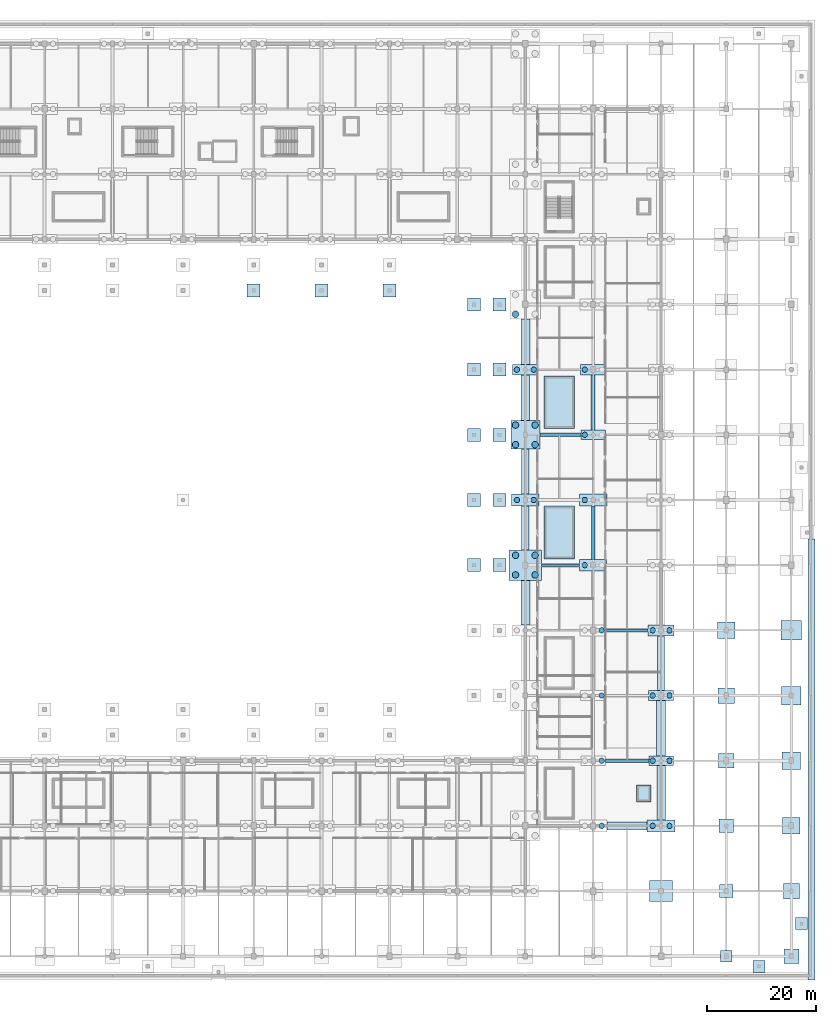
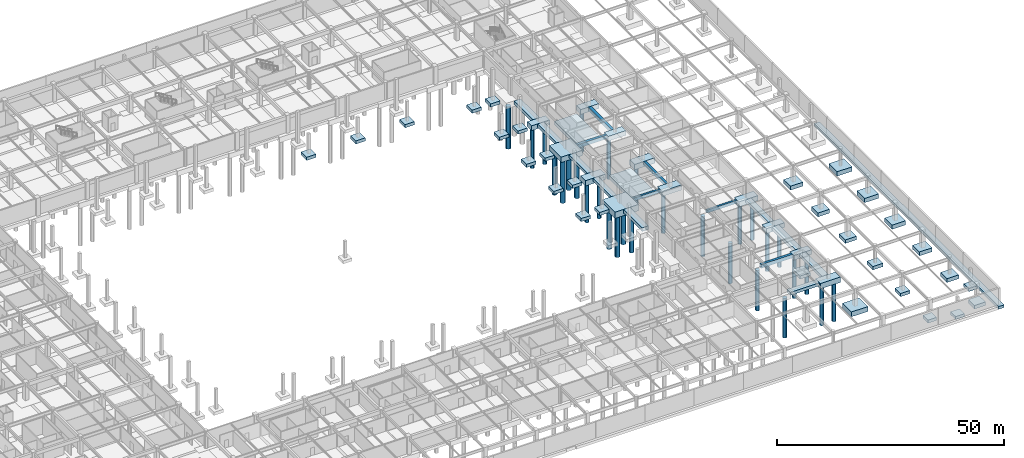
# One storey, part 6 of 56: 59 footings, 29 piles.
"""IFC4 building model written with IfcOpenShell, lengths in metres."""

from ifc_helpers import new_model, si_unit, direction, frame, origin, origin_2d, place, context, subcontext, project, spatial, polyline, rectangle, circle, outline, extrude, material, material_profile, profile_set, type_object, element, save


model = new_model("IFC4")

# Units and contexts
model_context = context("Model", 3, precision=1e-05, world=origin(), true_north=direction((0.0, 1.0)))
body_context = subcontext(model_context, "Body", "Model", "MODEL_VIEW")
ifc_project = project(units=[si_unit("LENGTHUNIT", "METRE"), si_unit("AREAUNIT", "SQUARE_METRE"), si_unit("VOLUMEUNIT", "CUBIC_METRE"), si_unit("PLANEANGLEUNIT", "RADIAN"), si_unit("MASSUNIT", "GRAM", prefix="KILO")], contexts=[model_context])

# Site, building, storey
site_placement = place(None, origin())
site = spatial("IfcSite", under=ifc_project, at=site_placement, CompositionType="ELEMENT")
building_placement = place(site_placement, origin())
building = spatial("IfcBuilding", under=site, at=building_placement, Name="Kazenohara Klinker Stadium", CompositionType="ELEMENT")
storey_placement = place(building_placement, frame((0.0, 0.0, -4.800048828125)))
storey = spatial("IfcBuildingStorey", under=building, at=storey_placement, Name="B01", CompositionType="ELEMENT", Elevation=-4.800048828125)

# Footings
ifc_material = material(Name="Concrete C35/45", Category="concrete")
footing_type_1 = type_object("IfcFootingType", Name="CAP-PC01", PredefinedType="PILE_CAP", material=ifc_material)
for number, where, z_axis, x_axis, name in (
    (1, (187.5, 96.0, -1.25), (0.0, 0.0, 1.0), (1.0, 0.0, 0.0), "Pile cap PC01 at 16/J"),
    (2, (200.0, 36.0, -1.25), (0.0, 0.0, 1.0), (1.0, 0.0, 0.0), "Pile cap PC01 at 17/D"),
):
    element("IfcFooting", number, at=place(storey_placement, frame(where, z_axis=z_axis, x_axis=x_axis)), inside=storey, type_object=footing_type_1, Name=name, PredefinedType="PILE_CAP", context=body_context, shape_type="SweptSolid", body=[
        extrude(rectangle(XDim=4.5, YDim=1.800048828125, at=origin_2d()), origin(), (0.0, 0.0, 1.0), 1.25),
    ])
footing_type_2 = type_object("IfcFootingType", Name="CAP-PC02", PredefinedType="PILE_CAP", material=ifc_material)
for number, where, z_axis, x_axis, name in (
    (3, (175.0, 108.0, -1.2998046875), (0.0, 0.0, 1.0), (1.0, 0.0, 0.0), "Pile cap PC02 at 15/K"),
    (4, (187.5, 108.0, -1.2998046875), (0.0, 0.0, 1.0), (1.0, 0.0, 0.0), "Pile cap PC02 at 16/K"),
    (5, (200.0, 48.0, -1.2998046875), (0.0, 0.0, 1.0), (1.0, 0.0, 0.0), "Pile cap PC02 at 17/E"),
):
    element("IfcFooting", number, at=place(storey_placement, frame(where, z_axis=z_axis, x_axis=x_axis)), inside=storey, type_object=footing_type_2, Name=name, PredefinedType="PILE_CAP", context=body_context, shape_type="SweptSolid", body=[
        extrude(rectangle(XDim=4.64990234375, YDim=1.89990234375, at=origin_2d()), origin(), (0.0, 0.0, 1.0), 1.300048828125),
    ])
footing_type_3 = type_object("IfcFootingType", Name="CAP-PC03", PredefinedType="PILE_CAP", material=ifc_material)
footing_1_placement = place(storey_placement, frame((200.0, 60.0, -1.35009765625), z_axis=(0.0, 0.0, 1.0), x_axis=(1.0, 0.0, 0.0)))
element("IfcFooting", 6, at=footing_1_placement, inside=storey, type_object=footing_type_3, Name="Pile cap PC03 at 17/F", PredefinedType="PILE_CAP", context=body_context, shape_type="SweptSolid", body=[
    extrude(rectangle(XDim=4.800048828125, YDim=2.0, at=origin_2d()), origin(), (0.0, 0.0, 1.0), 1.35009765625),
])
footing_type_4 = type_object("IfcFootingType", Name="CAP-PC04", PredefinedType="PILE_CAP", material=ifc_material)
footing_2_placement = place(storey_placement, frame((187.5, 72.0, -1.39990234375), z_axis=(0.0, 0.0, 1.0), x_axis=(1.0, 0.0, 0.0)))
element("IfcFooting", 7, at=footing_2_placement, inside=storey, type_object=footing_type_4, Name="Pile cap PC04 at 16/G", PredefinedType="PILE_CAP", context=body_context, shape_type="SweptSolid", body=[
    extrude(rectangle(XDim=4.949951171875, YDim=2.10009765625, at=origin_2d()), origin(), (0.0, 0.0, 1.0), 1.39990234375),
])
footing_type_5 = type_object("IfcFootingType", Name="CAP-PC05", PredefinedType="PILE_CAP", material=ifc_material)
for number, where, z_axis, x_axis, name in (
    (8, (175.0, 84.0, -1.44970703125), (0.0, 0.0, 1.0), (1.0, 0.0, 0.0), "Pile cap PC05 at 15/H"),
    (9, (187.5, 84.0, -1.44970703125), (0.0, 0.0, 1.0), (1.0, 0.0, 0.0), "Pile cap PC05 at 16/H"),
    (10, (200.0, 24.0, -1.44970703125), (0.0, 0.0, 1.0), (1.0, 0.0, 0.0), "Pile cap PC05 at 17/C"),
):
    element("IfcFooting", number, at=place(storey_placement, frame(where, z_axis=z_axis, x_axis=x_axis)), inside=storey, type_object=footing_type_5, Name=name, PredefinedType="PILE_CAP", context=body_context, shape_type="SweptSolid", body=[
        extrude(rectangle(XDim=5.10009765625, YDim=2.199951171875, at=origin_2d()), origin(), (0.0, 0.0, 1.0), 1.449951171875),
    ])
footing_type_6 = type_object("IfcFootingType", Name="CAP-PC07", PredefinedType="PILE_CAP", material=ifc_material)
footing_3_placement = place(storey_placement, frame((175.0, 96.0, -1.44970703125), z_axis=(0.0, 0.0, 1.0), x_axis=(1.0, 0.0, 0.0)))
element("IfcFooting", 11, at=footing_3_placement, inside=storey, type_object=footing_type_6, Name="Pile cap PC07 at 15/J", PredefinedType="PILE_CAP", context=body_context, shape_type="SweptSolid", body=[
    extrude(rectangle(XDim=5.35009765625, YDim=5.25, at=origin_2d()), origin(), (0.0, 0.0, 1.0), 1.449951171875),
])
footing_type_7 = type_object("IfcFootingType", Name="CAP-PC12", PredefinedType="PILE_CAP", material=ifc_material)
footing_4_placement = place(storey_placement, frame((175.0, 72.0, -1.69970703125), z_axis=(0.0, 0.0, 1.0), x_axis=(1.0, 0.0, 0.0)))
element("IfcFooting", 12, at=footing_4_placement, inside=storey, type_object=footing_type_7, Name="Pile cap PC12 at 15/G", PredefinedType="PILE_CAP", context=body_context, shape_type="SweptSolid", body=[
    extrude(rectangle(XDim=6.0, YDim=5.60009765625, at=origin_2d()), origin(), (0.0, 0.0, 1.0), 1.699951171875),
])
footing_type_8 = type_object("IfcFootingType", Name="GBEAM-GB01", PredefinedType="FOOTING_BEAM", material=ifc_material)
footing_5_placement = place(storey_placement, frame((0.0, 0.0, -0.800048828125)))
element("IfcFooting", 13, at=footing_5_placement, inside=storey, type_object=footing_type_8, Name="Foundation tie beam GB01 15-16/G", PredefinedType="FOOTING_BEAM", context=body_context, shape_type="SweptSolid", body=[
    extrude(outline(polyline([(178.0, 71.75), (185.02490234375, 71.75), (185.02490234375, 72.25), (178.0, 72.25), (178.0, 71.75)])), origin(), (0.0, 0.0, 1.0), 0.800048828125),
])
footing_6_placement = place(storey_placement, frame((0.0, 0.0, -0.800048828125)))
element("IfcFooting", 14, at=footing_6_placement, inside=storey, type_object=footing_type_8, Name="Foundation tie beam GB01 16-17/F", PredefinedType="FOOTING_BEAM", context=body_context, shape_type="SweptSolid", body=[
    extrude(outline(polyline([(189.89990234375, 59.75), (197.60009765625, 59.75), (197.60009765625, 60.25), (189.89990234375, 60.25), (189.89990234375, 59.75)])), origin(), (0.0, 0.0, 1.0), 0.800048828125),
])
footing_type_9 = type_object("IfcFootingType", Name="GBEAM-GB02", PredefinedType="FOOTING_BEAM", material=ifc_material)
footing_7_placement = place(storey_placement, frame((0.0, 0.0, -0.8798828125)))
element("IfcFooting", 15, at=footing_7_placement, inside=storey, type_object=footing_type_9, Name="Foundation tie beam GB02 16/G-H", PredefinedType="FOOTING_BEAM", context=body_context, shape_type="SweptSolid", body=[
    extrude(outline(polyline([(187.2099609375, 73.050048828125), (187.7900390625, 73.050048828125), (187.7900390625, 82.89990234375), (187.2099609375, 82.89990234375), (187.2099609375, 73.050048828125)])), origin(), (0.0, 0.0, 1.0), 0.8798828125),
])
footing_type_10 = type_object("IfcFootingType", Name="GBEAM-GB03", PredefinedType="FOOTING_BEAM", material=ifc_material)
footing_8_placement = place(storey_placement, frame((0.0, 0.0, -0.9599609375)))
element("IfcFooting", 16, at=footing_8_placement, inside=storey, type_object=footing_type_10, Name="Foundation tie beam GB03 15-16/J", PredefinedType="FOOTING_BEAM", context=body_context, shape_type="SweptSolid", body=[
    extrude(outline(polyline([(177.675048828125, 95.675048828125), (185.25, 95.675048828125), (185.25, 96.324951171875), (177.675048828125, 96.324951171875), (177.675048828125, 95.675048828125)])), origin(), (0.0, 0.0, 1.0), 0.9599609375),
])
footing_9_placement = place(storey_placement, frame((0.0, 0.0, -0.9599609375)))
element("IfcFooting", 17, at=footing_9_placement, inside=storey, type_object=footing_type_10, Name="Foundation tie beam GB03 16-17/D", PredefinedType="FOOTING_BEAM", context=body_context, shape_type="SweptSolid", body=[
    extrude(outline(polyline([(189.75, 35.675048828125), (197.75, 35.675048828125), (197.75, 36.324951171875), (189.75, 36.324951171875), (189.75, 35.675048828125)])), origin(), (0.0, 0.0, 1.0), 0.9599609375),
])
footing_type_11 = type_object("IfcFootingType", Name="GBEAM-GB04", PredefinedType="FOOTING_BEAM", material=ifc_material)
footing_10_placement = place(storey_placement, frame((0.0, 0.0, -1.050048828125)))
element("IfcFooting", 18, at=footing_10_placement, inside=storey, type_object=footing_type_11, Name="Foundation tie beam GB04 16/J-K", PredefinedType="FOOTING_BEAM", context=body_context, shape_type="SweptSolid", body=[
    extrude(outline(polyline([(187.139892578125, 96.89990234375), (187.860107421875, 96.89990234375), (187.860107421875, 107.050048828125), (187.139892578125, 107.050048828125), (187.139892578125, 96.89990234375)])), origin(), (0.0, 0.0, 1.0), 1.050048828125),
])
footing_type_12 = type_object("IfcFootingType", Name="PAD-PF01", PredefinedType="PAD_FOOTING", material=ifc_material)
for number, where, z_axis, x_axis, name in (
    (19, (212.0, 0.0, -0.7998046875), (0.0, 0.0, 1.0), (1.0, 0.0, 0.0), "Spread footing PF01 at 18/A"),
    (20, (225.85009765625, 6.0, -0.7998046875), (0.0, 0.0, 1.0), (1.0, 0.0, 0.0), "Exterior plinth support pad PF01 PLAZA-EAST-1"),
    (21, (218.0, -1.85009765625, -0.7998046875), (0.0, 0.0, 1.0), (1.0, 0.0, 0.0), "Exterior plinth support pad PF01 PLAZA-SOUTH-3"),
):
    element("IfcFooting", number, at=place(storey_placement, frame(where, z_axis=z_axis, x_axis=x_axis)), inside=storey, type_object=footing_type_12, Name=name, PredefinedType="PAD_FOOTING", context=body_context, shape_type="SweptSolid", body=[
        extrude(rectangle(XDim=2.199951171875, YDim=2.199951171875, at=origin_2d()), origin(), (0.0, 0.0, 1.0), 0.800048828125),
    ])
footing_type_13 = type_object("IfcFootingType", Name="PAD-PF02", PredefinedType="PAD_FOOTING", material=ifc_material)
for number, where, z_axis, x_axis, name in (
    (22, (212.0, 12.0, -0.85009765625), (0.0, 0.0, 1.0), (1.0, 0.0, 0.0), "Spread footing PF02 at 18/B"),
    (23, (165.550048828125, 72.0, -0.85009765625), (0.0, 0.0, 1.0), (1.0, 0.0, 0.0), "Bowl moat raker pad PF02 E-G"),
    (24, (170.27490234375, 72.0, -0.85009765625), (0.0, 0.0, 1.0), (1.0, 0.0, 0.0), "Bowl mid-raker pad PF02 E-G"),
    (25, (165.550048828125, 84.0, -0.85009765625), (0.0, 0.0, 1.0), (1.0, 0.0, 0.0), "Bowl moat raker pad PF02 E-H"),
    (26, (170.27490234375, 84.0, -0.85009765625), (0.0, 0.0, 1.0), (1.0, 0.0, 0.0), "Bowl mid-raker pad PF02 E-H"),
    (27, (165.550048828125, 96.0, -0.85009765625), (0.0, 0.0, 1.0), (1.0, 0.0, 0.0), "Bowl moat raker pad PF02 E-J"),
    (28, (170.27490234375, 96.0, -0.85009765625), (0.0, 0.0, 1.0), (1.0, 0.0, 0.0), "Bowl mid-raker pad PF02 E-J"),
    (29, (165.550048828125, 108.0, -0.85009765625), (0.0, 0.0, 1.0), (1.0, 0.0, 0.0), "Bowl moat raker pad PF02 E-K"),
    (30, (170.27490234375, 108.0, -0.85009765625), (0.0, 0.0, 1.0), (1.0, 0.0, 0.0), "Bowl mid-raker pad PF02 E-K"),
    (31, (165.550048828125, 120.0, -0.85009765625), (0.0, 0.0, 1.0), (1.0, 0.0, 0.0), "Bowl moat raker pad PF02 E-L"),
    (32, (170.27490234375, 120.0, -0.85009765625), (0.0, 0.0, 1.0), (1.0, 0.0, 0.0), "Bowl mid-raker pad PF02 E-L"),
    (33, (125.0, 122.550048828125, -0.85009765625), (0.0, 0.0, 1.0), (1.0, 0.0, 0.0), "Bowl moat raker pad PF02 N-11"),
    (34, (137.5, 122.550048828125, -0.85009765625), (0.0, 0.0, 1.0), (1.0, 0.0, 0.0), "Bowl moat raker pad PF02 N-12"),
    (35, (150.0, 122.550048828125, -0.85009765625), (0.0, 0.0, 1.0), (1.0, 0.0, 0.0), "Bowl moat raker pad PF02 N-13"),
):
    element("IfcFooting", number, at=place(storey_placement, frame(where, z_axis=z_axis, x_axis=x_axis)), inside=storey, type_object=footing_type_13, Name=name, PredefinedType="PAD_FOOTING", context=body_context, shape_type="SweptSolid", body=[
        extrude(rectangle(XDim=2.39990234375, YDim=2.39990234375, at=origin_2d()), origin(), (0.0, 0.0, 1.0), 0.85009765625),
    ])
footing_type_14 = type_object("IfcFootingType", Name="PAD-PF03", PredefinedType="PAD_FOOTING", material=ifc_material)
footing_11_placement = place(storey_placement, frame((212.0, 24.0, -0.89990234375), z_axis=(0.0, 0.0, 1.0), x_axis=(1.0, 0.0, 0.0)))
element("IfcFooting", 36, at=footing_11_placement, inside=storey, type_object=footing_type_14, Name="Spread footing PF03 at 18/C", PredefinedType="PAD_FOOTING", context=body_context, shape_type="SweptSolid", body=[
    extrude(rectangle(XDim=2.60009765625, YDim=2.5, at=origin_2d()), origin(), (0.0, 0.0, 1.0), 0.89990234375),
])
footing_12_placement = place(storey_placement, frame((0.0, 0.0, -1.5)))
element("IfcFooting", 37, at=footing_12_placement, inside=storey, type_object=footing_type_14, Name="Elevator pit foundation pad LP06", PredefinedType="PAD_FOOTING", context=body_context, shape_type="SweptSolid", body=[
    extrude(outline(polyline([(195.485107421875, 28.43505859375), (198.114990234375, 28.43505859375), (198.114990234375, 31.56494140625), (195.485107421875, 31.56494140625), (195.485107421875, 28.43505859375)])), origin(), (0.0, 0.0, 1.0), 0.85009765625),
])
footing_type_15 = type_object("IfcFootingType", Name="PAD-PF04", PredefinedType="PAD_FOOTING", material=ifc_material)
for number, where, z_axis, x_axis, name in (
    (38, (212.0, 36.0, -0.94970703125), (0.0, 0.0, 1.0), (1.0, 0.0, 0.0), "Spread footing PF04 at 18/D"),
    (39, (224.0, 0.0, -0.94970703125), (0.0, 0.0, 1.0), (1.0, 0.0, 0.0), "Spread footing PF04 at 19/A"),
):
    element("IfcFooting", number, at=place(storey_placement, frame(where, z_axis=z_axis, x_axis=x_axis)), inside=storey, type_object=footing_type_15, Name=name, PredefinedType="PAD_FOOTING", context=body_context, shape_type="SweptSolid", body=[
        extrude(rectangle(XDim=2.800048828125, YDim=2.699951171875, at=origin_2d()), origin(), (0.0, 0.0, 1.0), 0.949951171875),
    ])
footing_13_placement = place(storey_placement, frame((0.0, 0.0, -1.550048828125)))
element("IfcFooting", 40, at=footing_13_placement, inside=storey, type_object=footing_type_15, Name="Stairwell core foundation raft ST22", PredefinedType="PAD_FOOTING", context=body_context, shape_type="SweptSolid", body=[
    extrude(outline(polyline([(178.43505859375, 73.135009765625), (184.06494140625, 73.135009765625), (184.06494140625, 82.864990234375), (178.43505859375, 82.864990234375), (178.43505859375, 73.135009765625)])), origin(), (0.0, 0.0, 1.0), 0.900146484375),
])
footing_14_placement = place(storey_placement, frame((0.0, 0.0, -1.550048828125)))
element("IfcFooting", 41, at=footing_14_placement, inside=storey, type_object=footing_type_15, Name="Stairwell core foundation raft ST23", PredefinedType="PAD_FOOTING", context=body_context, shape_type="SweptSolid", body=[
    extrude(outline(polyline([(178.405029296875, 97.125), (184.094970703125, 97.125), (184.094970703125, 106.875), (178.405029296875, 106.875), (178.405029296875, 97.125)])), origin(), (0.0, 0.0, 1.0), 0.900146484375),
])
footing_type_16 = type_object("IfcFootingType", Name="PAD-PF05", PredefinedType="PAD_FOOTING", material=ifc_material)
for number, where, z_axis, x_axis, name in (
    (42, (212.0, 48.0, -1.0), (0.0, 0.0, 1.0), (1.0, 0.0, 0.0), "Spread footing PF05 at 18/E"),
    (43, (224.0, 12.0, -1.0), (0.0, 0.0, 1.0), (1.0, 0.0, 0.0), "Spread footing PF05 at 19/B"),
):
    element("IfcFooting", number, at=place(storey_placement, frame(where, z_axis=z_axis, x_axis=x_axis)), inside=storey, type_object=footing_type_16, Name=name, PredefinedType="PAD_FOOTING", context=body_context, shape_type="SweptSolid", body=[
        extrude(rectangle(XDim=3.0, YDim=2.85009765625, at=origin_2d()), origin(), (0.0, 0.0, 1.0), 1.0),
    ])
footing_type_17 = type_object("IfcFootingType", Name="PAD-PF06", PredefinedType="PAD_FOOTING", material=ifc_material)
for number, where, z_axis, x_axis, name in (
    (44, (212.0, 60.0, -1.0498046875), (0.0, 0.0, 1.0), (1.0, 0.0, 0.0), "Spread footing PF06 at 18/F"),
    (45, (224.0, 24.0, -1.0498046875), (0.0, 0.0, 1.0), (1.0, 0.0, 0.0), "Spread footing PF06 at 19/C"),
):
    element("IfcFooting", number, at=place(storey_placement, frame(where, z_axis=z_axis, x_axis=x_axis)), inside=storey, type_object=footing_type_17, Name=name, PredefinedType="PAD_FOOTING", context=body_context, shape_type="SweptSolid", body=[
        extrude(rectangle(XDim=3.199951171875, YDim=3.0, at=origin_2d()), origin(), (0.0, 0.0, 1.0), 1.050048828125),
    ])
footing_type_18 = type_object("IfcFootingType", Name="PAD-PF07", PredefinedType="PAD_FOOTING", material=ifc_material)
footing_15_placement = place(storey_placement, frame((224.0, 36.0, -1.10009765625), z_axis=(0.0, 0.0, 1.0), x_axis=(1.0, 0.0, 0.0)))
element("IfcFooting", 46, at=footing_15_placement, inside=storey, type_object=footing_type_18, Name="Spread footing PF07 at 19/D", PredefinedType="PAD_FOOTING", context=body_context, shape_type="SweptSolid", body=[
    extrude(rectangle(XDim=3.39990234375, YDim=3.199951171875, at=origin_2d()), origin(), (0.0, 0.0, 1.0), 1.10009765625),
])
footing_type_19 = type_object("IfcFootingType", Name="PAD-PF08", PredefinedType="PAD_FOOTING", material=ifc_material)
footing_16_placement = place(storey_placement, frame((224.0, 48.0, -1.14990234375), z_axis=(0.0, 0.0, 1.0), x_axis=(1.0, 0.0, 0.0)))
element("IfcFooting", 47, at=footing_16_placement, inside=storey, type_object=footing_type_19, Name="Spread footing PF08 at 19/E", PredefinedType="PAD_FOOTING", context=body_context, shape_type="SweptSolid", body=[
    extrude(rectangle(XDim=3.60009765625, YDim=3.39990234375, at=origin_2d()), origin(), (0.0, 0.0, 1.0), 1.14990234375),
])
footing_type_20 = type_object("IfcFootingType", Name="PAD-PF09", PredefinedType="PAD_FOOTING", material=ifc_material)
footing_17_placement = place(storey_placement, frame((224.0, 60.0, -1.19970703125), z_axis=(0.0, 0.0, 1.0), x_axis=(1.0, 0.0, 0.0)))
element("IfcFooting", 48, at=footing_17_placement, inside=storey, type_object=footing_type_20, Name="Spread footing PF09 at 19/F", PredefinedType="PAD_FOOTING", context=body_context, shape_type="SweptSolid", body=[
    extrude(rectangle(XDim=3.800048828125, YDim=3.60009765625, at=origin_2d()), origin(), (0.0, 0.0, 1.0), 1.199951171875),
])
footing_type_21 = type_object("IfcFootingType", Name="PAD-PF11", PredefinedType="PAD_FOOTING", material=ifc_material)
footing_18_placement = place(storey_placement, frame((200.0, 12.0, -1.2998046875), z_axis=(0.0, 0.0, 1.0), x_axis=(1.0, 0.0, 0.0)))
element("IfcFooting", 49, at=footing_18_placement, inside=storey, type_object=footing_type_21, Name="Spread footing PF11 at 17/B", PredefinedType="PAD_FOOTING", context=body_context, shape_type="SweptSolid", body=[
    extrude(rectangle(XDim=4.199951171875, YDim=3.89990234375, at=origin_2d()), origin(), (0.0, 0.0, 1.0), 1.300048828125),
])

# Piles
ifc_material_profile_1 = material_profile(ifc_material, circle(Radius=0.5, at=origin_2d()), Name="BORED-PILE-1000")
ifc_profile_set_1 = profile_set([ifc_material_profile_1], Name="Concrete C35/45")
pile_type_1 = type_object("IfcPileType", Name="PILE-P01-1000", PredefinedType="BORED", material=ifc_profile_set_1)
for number, where, z_axis, x_axis, name in (
    (50, (173.449951171875, 84.0, -1.349853515625), (0.0, 0.0, -1.0), (1.0, 0.0, 0.0), "Bored pile P01-1407-1"),
    (51, (176.550048828125, 84.0, -1.349853515625), (0.0, 0.0, -1.0), (1.0, 0.0, 0.0), "Bored pile P01-1407-2"),
):
    element("IfcPile", number, at=place(storey_placement, frame(where, z_axis=z_axis, x_axis=x_axis)), inside=storey, type_object=pile_type_1, Name=name, PredefinedType="BORED", context=body_context, shape_type="SweptSolid", body=[
        extrude(circle(Radius=0.5, at=origin_2d()), origin(), (0.0, 0.0, 1.0), 10.64990234375),
    ])
for number, where, z_axis, x_axis, name in (
    (52, (173.449951171875, 108.0, -1.199951171875), (0.0, 0.0, -1.0), (1.0, 0.0, 0.0), "Bored pile P01-1409-1"),
    (53, (176.550048828125, 108.0, -1.199951171875), (0.0, 0.0, -1.0), (1.0, 0.0, 0.0), "Bored pile P01-1409-2"),
):
    element("IfcPile", number, at=place(storey_placement, frame(where, z_axis=z_axis, x_axis=x_axis)), inside=storey, type_object=pile_type_1, Name=name, PredefinedType="BORED", context=body_context, shape_type="SweptSolid", body=[
        extrude(circle(Radius=0.5, at=origin_2d()), origin(), (0.0, 0.0, 1.0), 10.800048828125),
    ])
pile_1_placement = place(storey_placement, frame((189.050048828125, 24.0, -1.349853515625), z_axis=(0.0, 0.0, -1.0), x_axis=(1.0, 0.0, 0.0)))
element("IfcPile", 54, at=pile_1_placement, inside=storey, type_object=pile_type_1, Name="Bored pile P01-1502-2", PredefinedType="BORED", context=body_context, shape_type="SweptSolid", body=[
    extrude(circle(Radius=0.5, at=origin_2d()), origin(), (0.0, 0.0, 1.0), 10.64990234375),
])
pile_2_placement = place(storey_placement, frame((189.050048828125, 36.0, -1.14990234375), z_axis=(0.0, 0.0, -1.0), x_axis=(1.0, 0.0, 0.0)))
element("IfcPile", 55, at=pile_2_placement, inside=storey, type_object=pile_type_1, Name="Bored pile P01-1503-2", PredefinedType="BORED", context=body_context, shape_type="SweptSolid", body=[
    extrude(circle(Radius=0.5, at=origin_2d()), origin(), (0.0, 0.0, 1.0), 10.85009765625),
])
pile_3_placement = place(storey_placement, frame((189.050048828125, 48.0, -1.199951171875), z_axis=(0.0, 0.0, -1.0), x_axis=(1.0, 0.0, 0.0)))
element("IfcPile", 56, at=pile_3_placement, inside=storey, type_object=pile_type_1, Name="Bored pile P01-1504-2", PredefinedType="BORED", context=body_context, shape_type="SweptSolid", body=[
    extrude(circle(Radius=0.5, at=origin_2d()), origin(), (0.0, 0.0, 1.0), 10.800048828125),
])
pile_4_placement = place(storey_placement, frame((189.050048828125, 60.0, -1.25), z_axis=(0.0, 0.0, -1.0), x_axis=(1.0, 0.0, 0.0)))
element("IfcPile", 57, at=pile_4_placement, inside=storey, type_object=pile_type_1, Name="Bored pile P01-1505-2", PredefinedType="BORED", context=body_context, shape_type="SweptSolid", body=[
    extrude(circle(Radius=0.5, at=origin_2d()), origin(), (0.0, 0.0, 1.0), 10.75),
])
pile_5_placement = place(storey_placement, frame((185.949951171875, 72.0, -1.300048828125), z_axis=(0.0, 0.0, -1.0), x_axis=(1.0, 0.0, 0.0)))
element("IfcPile", 58, at=pile_5_placement, inside=storey, type_object=pile_type_1, Name="Bored pile P01-1506-1", PredefinedType="BORED", context=body_context, shape_type="SweptSolid", body=[
    extrude(circle(Radius=0.5, at=origin_2d()), origin(), (0.0, 0.0, 1.0), 10.699951171875),
])
pile_6_placement = place(storey_placement, frame((185.949951171875, 84.0, -1.349853515625), z_axis=(0.0, 0.0, -1.0), x_axis=(1.0, 0.0, 0.0)))
element("IfcPile", 59, at=pile_6_placement, inside=storey, type_object=pile_type_1, Name="Bored pile P01-1507-1", PredefinedType="BORED", context=body_context, shape_type="SweptSolid", body=[
    extrude(circle(Radius=0.5, at=origin_2d()), origin(), (0.0, 0.0, 1.0), 10.64990234375),
])
pile_7_placement = place(storey_placement, frame((185.949951171875, 96.0, -1.14990234375), z_axis=(0.0, 0.0, -1.0), x_axis=(1.0, 0.0, 0.0)))
element("IfcPile", 60, at=pile_7_placement, inside=storey, type_object=pile_type_1, Name="Bored pile P01-1508-1", PredefinedType="BORED", context=body_context, shape_type="SweptSolid", body=[
    extrude(circle(Radius=0.5, at=origin_2d()), origin(), (0.0, 0.0, 1.0), 10.85009765625),
])
pile_8_placement = place(storey_placement, frame((185.949951171875, 108.0, -1.199951171875), z_axis=(0.0, 0.0, -1.0), x_axis=(1.0, 0.0, 0.0)))
element("IfcPile", 61, at=pile_8_placement, inside=storey, type_object=pile_type_1, Name="Bored pile P01-1509-1", PredefinedType="BORED", context=body_context, shape_type="SweptSolid", body=[
    extrude(circle(Radius=0.5, at=origin_2d()), origin(), (0.0, 0.0, 1.0), 10.800048828125),
])
for number, where, z_axis, x_axis, name in (
    (62, (198.449951171875, 24.0, -1.349853515625), (0.0, 0.0, -1.0), (1.0, 0.0, 0.0), "Bored pile P01-1602-1"),
    (63, (201.550048828125, 24.0, -1.349853515625), (0.0, 0.0, -1.0), (1.0, 0.0, 0.0), "Bored pile P01-1602-2"),
):
    element("IfcPile", number, at=place(storey_placement, frame(where, z_axis=z_axis, x_axis=x_axis)), inside=storey, type_object=pile_type_1, Name=name, PredefinedType="BORED", context=body_context, shape_type="SweptSolid", body=[
        extrude(circle(Radius=0.5, at=origin_2d()), origin(), (0.0, 0.0, 1.0), 10.64990234375),
    ])
for number, where, z_axis, x_axis, name in (
    (64, (198.449951171875, 36.0, -1.14990234375), (0.0, 0.0, -1.0), (1.0, 0.0, 0.0), "Bored pile P01-1603-1"),
    (65, (201.550048828125, 36.0, -1.14990234375), (0.0, 0.0, -1.0), (1.0, 0.0, 0.0), "Bored pile P01-1603-2"),
):
    element("IfcPile", number, at=place(storey_placement, frame(where, z_axis=z_axis, x_axis=x_axis)), inside=storey, type_object=pile_type_1, Name=name, PredefinedType="BORED", context=body_context, shape_type="SweptSolid", body=[
        extrude(circle(Radius=0.5, at=origin_2d()), origin(), (0.0, 0.0, 1.0), 10.85009765625),
    ])
for number, where, z_axis, x_axis, name in (
    (66, (198.449951171875, 48.0, -1.199951171875), (0.0, 0.0, -1.0), (1.0, 0.0, 0.0), "Bored pile P01-1604-1"),
    (67, (201.550048828125, 48.0, -1.199951171875), (0.0, 0.0, -1.0), (1.0, 0.0, 0.0), "Bored pile P01-1604-2"),
):
    element("IfcPile", number, at=place(storey_placement, frame(where, z_axis=z_axis, x_axis=x_axis)), inside=storey, type_object=pile_type_1, Name=name, PredefinedType="BORED", context=body_context, shape_type="SweptSolid", body=[
        extrude(circle(Radius=0.5, at=origin_2d()), origin(), (0.0, 0.0, 1.0), 10.800048828125),
    ])
for number, where, z_axis, x_axis, name in (
    (68, (198.449951171875, 60.0, -1.25), (0.0, 0.0, -1.0), (1.0, 0.0, 0.0), "Bored pile P01-1605-1"),
    (69, (201.550048828125, 60.0, -1.25), (0.0, 0.0, -1.0), (1.0, 0.0, 0.0), "Bored pile P01-1605-2"),
):
    element("IfcPile", number, at=place(storey_placement, frame(where, z_axis=z_axis, x_axis=x_axis)), inside=storey, type_object=pile_type_1, Name=name, PredefinedType="BORED", context=body_context, shape_type="SweptSolid", body=[
        extrude(circle(Radius=0.5, at=origin_2d()), origin(), (0.0, 0.0, 1.0), 10.75),
    ])
ifc_material_profile_2 = material_profile(ifc_material, circle(Radius=0.60009765625, at=origin_2d()), Name="BORED-PILE-1200")
ifc_profile_set_2 = profile_set([ifc_material_profile_2], Name="Concrete C35/45")
pile_type_2 = type_object("IfcPileType", Name="PILE-P02-1200", PredefinedType="BORED", material=ifc_profile_set_2)
for number, where, z_axis, x_axis, name in (
    (70, (173.199951171875, 70.199951171875, -1.599853515625), (0.0, 0.0, -1.0), (1.0, 0.0, 0.0), "Bored pile P02-1406-1"),
    (71, (176.800048828125, 70.199951171875, -1.599853515625), (0.0, 0.0, -1.0), (1.0, 0.0, 0.0), "Bored pile P02-1406-2"),
    (72, (173.199951171875, 73.800048828125, -1.599853515625), (0.0, 0.0, -1.0), (1.0, 0.0, 0.0), "Bored pile P02-1406-3"),
    (73, (176.800048828125, 73.800048828125, -1.599853515625), (0.0, 0.0, -1.0), (1.0, 0.0, 0.0), "Bored pile P02-1406-4"),
):
    element("IfcPile", number, at=place(storey_placement, frame(where, z_axis=z_axis, x_axis=x_axis)), inside=storey, type_object=pile_type_2, Name=name, PredefinedType="BORED", context=body_context, shape_type="SweptSolid", body=[
        extrude(circle(Radius=0.60009765625, at=origin_2d()), origin(), (0.0, 0.0, 1.0), 11.199951171875),
    ])
for number, where, z_axis, x_axis, name in (
    (74, (173.199951171875, 94.199951171875, -1.349853515625), (0.0, 0.0, -1.0), (1.0, 0.0, 0.0), "Bored pile P02-1408-1"),
    (75, (176.800048828125, 94.199951171875, -1.349853515625), (0.0, 0.0, -1.0), (1.0, 0.0, 0.0), "Bored pile P02-1408-2"),
    (76, (173.199951171875, 97.800048828125, -1.349853515625), (0.0, 0.0, -1.0), (1.0, 0.0, 0.0), "Bored pile P02-1408-3"),
    (77, (176.800048828125, 97.800048828125, -1.349853515625), (0.0, 0.0, -1.0), (1.0, 0.0, 0.0), "Bored pile P02-1408-4"),
):
    element("IfcPile", number, at=place(storey_placement, frame(where, z_axis=z_axis, x_axis=x_axis)), inside=storey, type_object=pile_type_2, Name=name, PredefinedType="BORED", context=body_context, shape_type="SweptSolid", body=[
        extrude(circle(Radius=0.60009765625, at=origin_2d()), origin(), (0.0, 0.0, 1.0), 11.449951171875),
    ])
pile_9_placement = place(storey_placement, frame((173.199951171875, 118.199951171875, -1.449951171875), z_axis=(0.0, 0.0, -1.0), x_axis=(1.0, 0.0, 0.0)))
element("IfcPile", 78, at=pile_9_placement, inside=storey, type_object=pile_type_2, Name="Bored pile P02-1410-1", PredefinedType="BORED", context=body_context, shape_type="SweptSolid", body=[
    extrude(circle(Radius=0.60009765625, at=origin_2d()), origin(), (0.0, 0.0, 1.0), 11.35009765625),
])

# Footings
footing_type_22 = type_object("IfcFootingType", Name="STRIP-SF01", PredefinedType="STRIP_FOOTING", material=ifc_material)
footing_19_placement = place(storey_placement, frame((0.0, 0.0, -0.75)))
element("IfcFooting", 79, at=footing_19_placement, inside=storey, type_object=footing_type_22, Name="Perimeter strip footing SF01 15/G-H", PredefinedType="STRIP_FOOTING", context=body_context, shape_type="SweptSolid", body=[
    extrude(outline(polyline([(174.324951171875, 74.800048828125), (175.675048828125, 74.800048828125), (175.675048828125, 82.89990234375), (174.324951171875, 82.89990234375), (174.324951171875, 74.800048828125)])), origin(), (0.0, 0.0, 1.0), 0.75),
])
footing_20_placement = place(storey_placement, frame((0.0, 0.0, -0.75)))
element("IfcFooting", 80, at=footing_20_placement, inside=storey, type_object=footing_type_22, Name="Perimeter strip footing SF01 17/E-F", PredefinedType="STRIP_FOOTING", context=body_context, shape_type="SweptSolid", body=[
    extrude(outline(polyline([(199.324951171875, 48.949951171875), (200.675048828125, 48.949951171875), (200.675048828125, 59.0), (199.324951171875, 59.0), (199.324951171875, 48.949951171875)])), origin(), (0.0, 0.0, 1.0), 0.75),
])
footing_21_placement = place(storey_placement, frame((0.0, 0.0, -0.75)))
element("IfcFooting", 81, at=footing_21_placement, inside=storey, type_object=footing_type_22, Name="Street plinth strip footing SF01 East-01", PredefinedType="STRIP_FOOTING", context=body_context, shape_type="SweptSolid", body=[
    extrude(outline(polyline([(227.02490234375, -4.35009765625), (228.375, -4.35009765625), (228.375, 76.780029296875), (227.02490234375, 76.780029296875), (227.02490234375, -4.35009765625)])), origin(), (0.0, 0.0, 1.0), 0.75),
])
footing_type_23 = type_object("IfcFootingType", Name="STRIP-SF02", PredefinedType="STRIP_FOOTING", material=ifc_material)
footing_22_placement = place(storey_placement, frame((0.0, 0.0, -0.800048828125)))
element("IfcFooting", 82, at=footing_22_placement, inside=storey, type_object=footing_type_23, Name="Perimeter strip footing SF02 16-17/C", PredefinedType="STRIP_FOOTING", context=body_context, shape_type="SweptSolid", body=[
    extrude(outline(polyline([(190.050048828125, 23.27490234375), (197.449951171875, 23.27490234375), (197.449951171875, 24.72509765625), (190.050048828125, 24.72509765625), (190.050048828125, 23.27490234375)])), origin(), (0.0, 0.0, 1.0), 0.800048828125),
])
footing_23_placement = place(storey_placement, frame((0.0, 0.0, -0.800048828125)))
element("IfcFooting", 83, at=footing_23_placement, inside=storey, type_object=footing_type_23, Name="Perimeter strip footing SF02 15/H-J", PredefinedType="STRIP_FOOTING", context=body_context, shape_type="SweptSolid", body=[
    extrude(outline(polyline([(174.27490234375, 85.10009765625), (175.72509765625, 85.10009765625), (175.72509765625, 93.375), (174.27490234375, 93.375), (174.27490234375, 85.10009765625)])), origin(), (0.0, 0.0, 1.0), 0.800048828125),
])
footing_type_24 = type_object("IfcFootingType", Name="STRIP-SF03", PredefinedType="STRIP_FOOTING", material=ifc_material)
footing_24_placement = place(storey_placement, frame((0.0, 0.0, -0.8798828125)))
element("IfcFooting", 84, at=footing_24_placement, inside=storey, type_object=footing_type_24, Name="Perimeter strip footing SF03 15/J-K", PredefinedType="STRIP_FOOTING", context=body_context, shape_type="SweptSolid", body=[
    extrude(outline(polyline([(174.22509765625, 98.625), (175.77490234375, 98.625), (175.77490234375, 107.050048828125), (174.22509765625, 107.050048828125), (174.22509765625, 98.625)])), origin(), (0.0, 0.0, 1.0), 0.8798828125),
])
footing_25_placement = place(storey_placement, frame((0.0, 0.0, -0.8798828125)))
element("IfcFooting", 85, at=footing_25_placement, inside=storey, type_object=footing_type_24, Name="Perimeter strip footing SF03 17/C-D", PredefinedType="STRIP_FOOTING", context=body_context, shape_type="SweptSolid", body=[
    extrude(outline(polyline([(199.22509765625, 25.10009765625), (200.77490234375, 25.10009765625), (200.77490234375, 35.10009765625), (199.22509765625, 35.10009765625), (199.22509765625, 25.10009765625)])), origin(), (0.0, 0.0, 1.0), 0.8798828125),
])
footing_type_25 = type_object("IfcFootingType", Name="STRIP-SF04", PredefinedType="STRIP_FOOTING", material=ifc_material)
footing_26_placement = place(storey_placement, frame((0.0, 0.0, -0.949951171875)))
element("IfcFooting", 86, at=footing_26_placement, inside=storey, type_object=footing_type_25, Name="Perimeter strip footing SF04 15/F-G", PredefinedType="STRIP_FOOTING", context=body_context, shape_type="SweptSolid", body=[
    extrude(outline(polyline([(174.175048828125, 61.0), (175.824951171875, 61.0), (175.824951171875, 69.199951171875), (174.175048828125, 69.199951171875), (174.175048828125, 61.0)])), origin(), (0.0, 0.0, 1.0), 0.949951171875),
])
footing_27_placement = place(storey_placement, frame((0.0, 0.0, -0.949951171875)))
element("IfcFooting", 87, at=footing_27_placement, inside=storey, type_object=footing_type_25, Name="Perimeter strip footing SF04 15/K-L", PredefinedType="STRIP_FOOTING", context=body_context, shape_type="SweptSolid", body=[
    extrude(outline(polyline([(174.175048828125, 108.949951171875), (175.824951171875, 108.949951171875), (175.824951171875, 117.300048828125), (174.175048828125, 117.300048828125), (174.175048828125, 108.949951171875)])), origin(), (0.0, 0.0, 1.0), 0.949951171875),
])
footing_28_placement = place(storey_placement, frame((0.0, 0.0, -0.949951171875)))
element("IfcFooting", 88, at=footing_28_placement, inside=storey, type_object=footing_type_25, Name="Perimeter strip footing SF04 17/D-E", PredefinedType="STRIP_FOOTING", context=body_context, shape_type="SweptSolid", body=[
    extrude(outline(polyline([(199.175048828125, 36.89990234375), (200.824951171875, 36.89990234375), (200.824951171875, 47.050048828125), (199.175048828125, 47.050048828125), (199.175048828125, 36.89990234375)])), origin(), (0.0, 0.0, 1.0), 0.949951171875),
])

save(model, "model.ifc")
